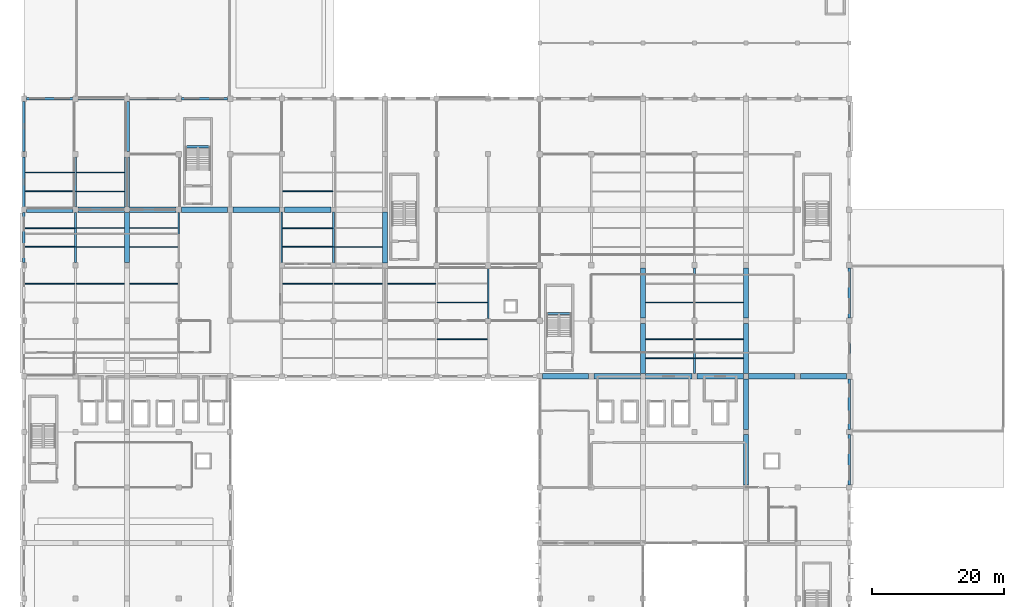
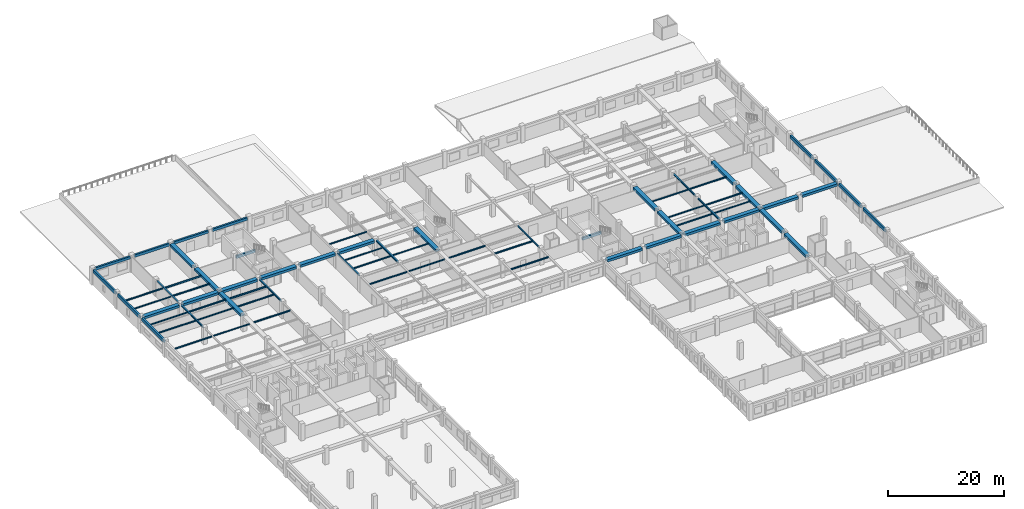
# One storey, part 24 of 50: 71 beams.
"""IFC4 building model written with IfcOpenShell, lengths in metres."""

from ifc_helpers import new_model, si_unit, direction, frame, origin, origin_2d, place, context, subcontext, project, spatial, rectangle, i_section, extrude, material, material_profile, profile_set, type_object, element, save


model = new_model("IFC4")

# Units and contexts
model_context = context("Model", 3, precision=1e-05, world=origin(), true_north=direction((0.0, 1.0)))
body_context = subcontext(model_context, "Body", "Model", "MODEL_VIEW")
ifc_project = project(units=[si_unit("LENGTHUNIT", "METRE"), si_unit("AREAUNIT", "SQUARE_METRE"), si_unit("VOLUMEUNIT", "CUBIC_METRE"), si_unit("PLANEANGLEUNIT", "RADIAN"), si_unit("MASSUNIT", "GRAM", prefix="KILO"), si_unit("THERMODYNAMICTEMPERATUREUNIT", "KELVIN"), si_unit("POWERUNIT", "WATT")], contexts=[model_context])

# Site, building, storey
site_placement = place(None, origin())
site = spatial("IfcSite", under=ifc_project, at=site_placement, CompositionType="ELEMENT")
building_placement = place(site_placement, origin())
building = spatial("IfcBuilding", under=site, at=building_placement, Name="Srebrne Nadtorze General Hospital", CompositionType="ELEMENT")
storey_placement = place(building_placement, frame((0.0, 0.0, 14.39990234375)))
storey = spatial("IfcBuildingStorey", under=building, at=storey_placement, Name="L03", CompositionType="ELEMENT", Elevation=14.39990234375)

# Beams
ifc_material_1 = material(Name="Steel S355J2", Category="steel")
ifc_material_profile_1 = material_profile(ifc_material_1, i_section(OverallWidth=0.169921875, OverallDepth=0.360107421875, WebThickness=0.008056640625, FlangeThickness=0.0126953125, FilletRadius=0.01806640625, at=origin_2d()), Name="IPE-360")
ifc_profile_set_1 = profile_set([ifc_material_profile_1], Name="Steel S355J2")
beam_type_1 = type_object("IfcBeamType", Name="Deck joist IPE 360", PredefinedType="JOIST", material=ifc_profile_set_1)
beam_1_placement = place(storey_placement, frame((31.324951171875, 81.22802734375, 3.090087890625), z_axis=(1.0, 0.0, 0.0), x_axis=(0.0, 1.0, 0.0)))
element("IfcBeam", 1, at=beam_1_placement, inside=storey, type_object=beam_type_1, Name="Interstitial deck joist SJ-L03-0043", PredefinedType="JOIST", context=body_context, shape_type="SweptSolid", body=[
    extrude(i_section(OverallWidth=0.169921875, OverallDepth=0.360107421875, WebThickness=0.008056640625, FlangeThickness=0.0126953125, FilletRadius=0.01806640625, at=origin_2d()), origin(), (0.0, 0.0, 1.0), 7.280029296875),
])
beam_2_placement = place(storey_placement, frame((39.39501953125, 72.827880859375, 3.090087890625), z_axis=(1.0, 0.0, 0.0), x_axis=(0.0, 1.0, 0.0)))
element("IfcBeam", 2, at=beam_2_placement, inside=storey, type_object=beam_type_1, Name="Interstitial deck joist SJ-L03-0049", PredefinedType="JOIST", context=body_context, shape_type="SweptSolid", body=[
    extrude(i_section(OverallWidth=0.169921875, OverallDepth=0.360107421875, WebThickness=0.008056640625, FlangeThickness=0.0126953125, FilletRadius=0.01806640625, at=origin_2d()), origin(), (0.0, 0.0, 1.0), 7.2900390625),
])
ifc_material_2 = material(Name="Concrete C35/45", Category="concrete")
ifc_material_profile_2 = material_profile(ifc_material_2, rectangle(XDim=0.35009765625, YDim=0.64990234375, at=origin_2d()), Name="RC-BM-350x650")
ifc_profile_set_2 = profile_set([ifc_material_profile_2], Name="Concrete C35/45")
beam_type_2 = type_object("IfcBeamType", Name="Edge beam RC 350x650", PredefinedType="BEAM", material=ifc_profile_set_2)
beam_3_placement = place(storey_placement, frame((23.39990234375, 67.60009765625, 2.945068359375), z_axis=(0.0, 1.0, 0.0), x_axis=(-1.0, 0.0, 0.0)))
element("IfcBeam", 3, at=beam_3_placement, inside=storey, type_object=beam_type_2, Name="Beam BM-L03-Y-0795", PredefinedType="BEAM", context=body_context, shape_type="SweptSolid", body=[
    extrude(rectangle(XDim=0.35009765625, YDim=0.64990234375, at=origin_2d()), origin(), (0.0, 0.0, 1.0), 7.599853515625),
])
for number, where, z_axis, x_axis, name in (
    (4, (23.39990234375, 76.0, 2.945068359375), (0.0, 1.0, 0.0), (-1.0, 0.0, 0.0), "Beam BM-L03-Y-0796"),
    (5, (23.39990234375, 84.39990234375, 2.945068359375), (0.0, 1.0, 0.0), (-1.0, 0.0, 0.0), "Beam BM-L03-Y-0797"),
    (6, (148.199951171875, 34.0, 2.945068359375), (0.0, 1.0, 0.0), (-1.0, 0.0, 0.0), "Beam BM-L03-Y-0852"),
    (7, (148.199951171875, 42.39990234375, 2.945068359375), (0.0, 1.0, 0.0), (-1.0, 0.0, 0.0), "Beam BM-L03-Y-0853"),
):
    element("IfcBeam", number, at=place(storey_placement, frame(where, z_axis=z_axis, x_axis=x_axis)), inside=storey, type_object=beam_type_2, Name=name, PredefinedType="BEAM", context=body_context, shape_type="SweptSolid", body=[
        extrude(rectangle(XDim=0.35009765625, YDim=0.64990234375, at=origin_2d()), origin(), (0.0, 0.0, 1.0), 7.60009765625),
    ])
beam_4_placement = place(storey_placement, frame((148.199951171875, 50.800048828125, 2.945068359375), z_axis=(0.0, 1.0, 0.0), x_axis=(-1.0, 0.0, 0.0)))
element("IfcBeam", 8, at=beam_4_placement, inside=storey, type_object=beam_type_2, Name="Beam BM-L03-Y-0854", PredefinedType="BEAM", context=body_context, shape_type="SweptSolid", body=[
    extrude(rectangle(XDim=0.35009765625, YDim=0.64990234375, at=origin_2d()), origin(), (0.0, 0.0, 1.0), 7.599853515625),
])
beam_5_placement = place(storey_placement, frame((148.199951171875, 59.199951171875, 2.945068359375), z_axis=(0.0, 1.0, 0.0), x_axis=(-1.0, 0.0, 0.0)))
element("IfcBeam", 9, at=beam_5_placement, inside=storey, type_object=beam_type_2, Name="Beam BM-L03-Y-0855", PredefinedType="BEAM", context=body_context, shape_type="SweptSolid", body=[
    extrude(rectangle(XDim=0.35009765625, YDim=0.64990234375, at=origin_2d()), origin(), (0.0, 0.0, 1.0), 7.60009765625),
])
ifc_material_3 = material(Name="Steel S355J2", Category="steel")
ifc_material_profile_3 = material_profile(ifc_material_3, i_section(OverallWidth=0.239990234375, OverallDepth=0.22998046875, WebThickness=0.007568359375, FlangeThickness=0.011962890625, FilletRadius=0.02099609375, at=origin_2d()), Name="HEA-240")
ifc_profile_set_3 = profile_set([ifc_material_profile_3], Name="Steel S355J2")
beam_type_3 = type_object("IfcBeamType", Name="Primary beam HEA 240", PredefinedType="BEAM", material=ifc_profile_set_3)
beam_6_placement = place(storey_placement, frame((46.800048828125, 67.60009765625, 3.155029296875), z_axis=(0.0, 1.0, 0.0), x_axis=(-1.0, 0.0, 0.0)))
element("IfcBeam", 10, at=beam_6_placement, inside=storey, type_object=beam_type_3, Name="Interstitial steel beam SB-L03-0007", PredefinedType="BEAM", context=body_context, shape_type="SweptSolid", body=[
    extrude(i_section(OverallWidth=0.239990234375, OverallDepth=0.22998046875, WebThickness=0.007568359375, FlangeThickness=0.011962890625, FilletRadius=0.02099609375, at=origin_2d()), origin(), (0.0, 0.0, 1.0), 7.599853515625),
])
beam_7_placement = place(storey_placement, frame((93.60009765625, 59.175048828125, 3.155029296875), z_axis=(0.0, 1.0, 0.0), x_axis=(-1.0, 0.0, 0.0)))
element("IfcBeam", 11, at=beam_7_placement, inside=storey, type_object=beam_type_3, Name="Interstitial steel beam SB-L03-0019", PredefinedType="BEAM", context=body_context, shape_type="SweptSolid", body=[
    extrude(i_section(OverallWidth=0.239990234375, OverallDepth=0.22998046875, WebThickness=0.007568359375, FlangeThickness=0.011962890625, FilletRadius=0.02099609375, at=origin_2d()), origin(), (0.0, 0.0, 1.0), 7.64990234375),
])
ifc_material_4 = material(Name="Steel S355J2", Category="steel")
ifc_material_profile_4 = material_profile(ifc_material_4, i_section(OverallWidth=0.260009765625, OverallDepth=0.25, WebThickness=0.007568359375, FlangeThickness=0.012451171875, FilletRadius=0.02392578125, at=origin_2d()), Name="HEA-260")
ifc_profile_set_4 = profile_set([ifc_material_profile_4], Name="Steel S355J2")
beam_type_4 = type_object("IfcBeamType", Name="Primary beam HEA 260", PredefinedType="BEAM", material=ifc_profile_set_4)
for number, where, z_axis, x_axis, name in (
    (12, (31.199951171875, 76.0, 3.14501953125), (0.0, 1.0, 0.0), (-1.0, 0.0, 0.0), "Interstitial steel beam SB-L03-0004"),
    (13, (124.800048828125, 59.199951171875, 3.14501953125), (0.0, 1.0, 0.0), (-1.0, 0.0, 0.0), "Interstitial steel beam SB-L03-0025"),
):
    element("IfcBeam", number, at=place(storey_placement, frame(where, z_axis=z_axis, x_axis=x_axis)), inside=storey, type_object=beam_type_4, Name=name, PredefinedType="BEAM", context=body_context, shape_type="SweptSolid", body=[
        extrude(i_section(OverallWidth=0.260009765625, OverallDepth=0.25, WebThickness=0.007568359375, FlangeThickness=0.012451171875, FilletRadius=0.02392578125, at=origin_2d()), origin(), (0.0, 0.0, 1.0), 7.60009765625),
    ])
ifc_material_5 = material(Name="Steel S355J2", Category="steel")
ifc_material_profile_5 = material_profile(ifc_material_5, i_section(OverallWidth=0.280029296875, OverallDepth=0.27001953125, WebThickness=0.008056640625, FlangeThickness=0.012939453125, FilletRadius=0.02392578125, at=origin_2d()), Name="HEA-280")
ifc_profile_set_5 = profile_set([ifc_material_profile_5], Name="Steel S355J2")
beam_type_5 = type_object("IfcBeamType", Name="Primary beam HEA 280", PredefinedType="BEAM", material=ifc_profile_set_5)
beam_8_placement = place(storey_placement, frame((31.199951171875, 67.60009765625, 3.135009765625), z_axis=(0.0, 1.0, 0.0), x_axis=(-1.0, 0.0, 0.0)))
element("IfcBeam", 14, at=beam_8_placement, inside=storey, type_object=beam_type_5, Name="Interstitial steel beam SB-L03-0003", PredefinedType="BEAM", context=body_context, shape_type="SweptSolid", body=[
    extrude(i_section(OverallWidth=0.280029296875, OverallDepth=0.27001953125, WebThickness=0.008056640625, FlangeThickness=0.012939453125, FilletRadius=0.02392578125, at=origin_2d()), origin(), (0.0, 0.0, 1.0), 7.599853515625),
])
beam_9_placement = place(storey_placement, frame((70.199951171875, 67.574951171875, 3.135009765625), z_axis=(0.0, 1.0, 0.0), x_axis=(-1.0, 0.0, 0.0)))
element("IfcBeam", 15, at=beam_9_placement, inside=storey, type_object=beam_type_5, Name="Interstitial steel beam SB-L03-0014", PredefinedType="BEAM", context=body_context, shape_type="SweptSolid", body=[
    extrude(i_section(OverallWidth=0.280029296875, OverallDepth=0.27001953125, WebThickness=0.008056640625, FlangeThickness=0.012939453125, FilletRadius=0.02392578125, at=origin_2d()), origin(), (0.0, 0.0, 1.0), 7.650146484375),
])
beam_10_placement = place(storey_placement, frame((124.800048828125, 50.800048828125, 3.135009765625), z_axis=(0.0, 1.0, 0.0), x_axis=(-1.0, 0.0, 0.0)))
element("IfcBeam", 16, at=beam_10_placement, inside=storey, type_object=beam_type_5, Name="Interstitial steel beam SB-L03-0024", PredefinedType="BEAM", context=body_context, shape_type="SweptSolid", body=[
    extrude(i_section(OverallWidth=0.280029296875, OverallDepth=0.27001953125, WebThickness=0.008056640625, FlangeThickness=0.012939453125, FilletRadius=0.02392578125, at=origin_2d()), origin(), (0.0, 0.0, 1.0), 7.599853515625),
])
ifc_material_6 = material(Name="Steel S355J2", Category="steel")
ifc_material_profile_6 = material_profile(ifc_material_6, i_section(OverallWidth=0.239990234375, OverallDepth=0.239990234375, WebThickness=0.010009765625, FlangeThickness=0.01708984375, FilletRadius=0.02099609375, at=origin_2d()), Name="HEB-240")
ifc_profile_set_6 = profile_set([ifc_material_profile_6], Name="Steel S355J2")
beam_type_6 = type_object("IfcBeamType", Name="Primary beam HEB 240", PredefinedType="BEAM", material=ifc_profile_set_6)
beam_11_placement = place(storey_placement, frame((62.39990234375, 67.574951171875, 3.150146484375), z_axis=(0.0, 1.0, 0.0), x_axis=(-1.0, 0.0, 0.0)))
element("IfcBeam", 17, at=beam_11_placement, inside=storey, type_object=beam_type_6, Name="Interstitial steel beam SB-L03-0010", PredefinedType="BEAM", context=body_context, shape_type="SweptSolid", body=[
    extrude(i_section(OverallWidth=0.239990234375, OverallDepth=0.239990234375, WebThickness=0.010009765625, FlangeThickness=0.01708984375, FilletRadius=0.02099609375, at=origin_2d()), origin(), (0.0, 0.0, 1.0), 7.650146484375),
])
ifc_material_7 = material(Name="Concrete C40/50", Category="concrete")
ifc_material_profile_7 = material_profile(ifc_material_7, rectangle(XDim=0.800048828125, YDim=0.5, at=origin_2d()), Name="RC-BM-800x500")
ifc_profile_set_7 = profile_set([ifc_material_profile_7], Name="Concrete C40/50")
beam_type_7 = type_object("IfcBeamType", Name="Primary beam RC 800x500", PredefinedType="BEAM", material=ifc_profile_set_7)
for number, where, z_axis, x_axis, name in (
    (18, (101.800048828125, 50.39990234375, 3.02001953125), (1.0, 0.0, 0.0), (0.0, 1.0, 0.0), "Beam BM-L03-X-0751"),
    (19, (109.60009765625, 50.39990234375, 3.02001953125), (1.0, 0.0, 0.0), (0.0, 1.0, 0.0), "Beam BM-L03-X-0752"),
    (20, (117.39990234375, 50.39990234375, 3.02001953125), (1.0, 0.0, 0.0), (0.0, 1.0, 0.0), "Beam BM-L03-X-0753"),
    (21, (125.199951171875, 50.39990234375, 3.02001953125), (1.0, 0.0, 0.0), (0.0, 1.0, 0.0), "Beam BM-L03-X-0754"),
    (22, (133.0, 50.39990234375, 3.02001953125), (1.0, 0.0, 0.0), (0.0, 1.0, 0.0), "Beam BM-L03-X-0755"),
    (23, (140.800048828125, 50.39990234375, 3.02001953125), (1.0, 0.0, 0.0), (0.0, 1.0, 0.0), "Beam BM-L03-X-0756"),
    (24, (23.800048828125, 75.60009765625, 3.02001953125), (1.0, 0.0, 0.0), (0.0, 1.0, 0.0), "Beam BM-L03-X-0757"),
    (25, (31.60009765625, 75.60009765625, 3.02001953125), (1.0, 0.0, 0.0), (0.0, 1.0, 0.0), "Beam BM-L03-X-0758"),
    (26, (39.39990234375, 75.60009765625, 3.02001953125), (1.0, 0.0, 0.0), (0.0, 1.0, 0.0), "Beam BM-L03-X-0759"),
    (27, (47.199951171875, 75.60009765625, 3.02001953125), (1.0, 0.0, 0.0), (0.0, 1.0, 0.0), "Beam BM-L03-X-0760"),
):
    element("IfcBeam", number, at=place(storey_placement, frame(where, z_axis=z_axis, x_axis=x_axis)), inside=storey, type_object=beam_type_7, Name=name, PredefinedType="BEAM", context=body_context, shape_type="SweptSolid", body=[
        extrude(rectangle(XDim=0.800048828125, YDim=0.5, at=origin_2d()), origin(), (0.0, 0.0, 1.0), 7.0),
    ])
beam_12_placement = place(storey_placement, frame((55.0, 75.60009765625, 3.02001953125), z_axis=(1.0, 0.0, 0.0), x_axis=(0.0, 1.0, 0.0)))
element("IfcBeam", 28, at=beam_12_placement, inside=storey, type_object=beam_type_7, Name="Beam BM-L03-X-0761", PredefinedType="BEAM", context=body_context, shape_type="SweptSolid", body=[
    extrude(rectangle(XDim=0.800048828125, YDim=0.5, at=origin_2d()), origin(), (0.0, 0.0, 1.0), 7.02490234375),
])
beam_13_placement = place(storey_placement, frame((62.77490234375, 75.60009765625, 3.02001953125), z_axis=(1.0, 0.0, 0.0), x_axis=(0.0, 1.0, 0.0)))
element("IfcBeam", 29, at=beam_13_placement, inside=storey, type_object=beam_type_7, Name="Beam BM-L03-X-0762", PredefinedType="BEAM", context=body_context, shape_type="SweptSolid", body=[
    extrude(rectangle(XDim=0.800048828125, YDim=0.5, at=origin_2d()), origin(), (0.0, 0.0, 1.0), 7.050048828125),
])
beam_14_placement = place(storey_placement, frame((39.0, 67.60009765625, 3.02001953125), z_axis=(0.0, 1.0, 0.0), x_axis=(-1.0, 0.0, 0.0)))
element("IfcBeam", 30, at=beam_14_placement, inside=storey, type_object=beam_type_7, Name="Beam BM-L03-Y-0806", PredefinedType="BEAM", context=body_context, shape_type="SweptSolid", body=[
    extrude(rectangle(XDim=0.800048828125, YDim=0.5, at=origin_2d()), origin(), (0.0, 0.0, 1.0), 7.599853515625),
])
for number, where, z_axis, x_axis, name in (
    (31, (39.0, 76.0, 3.02001953125), (0.0, 1.0, 0.0), (-1.0, 0.0, 0.0), "Beam BM-L03-Y-0807"),
    (32, (39.0, 84.39990234375, 3.02001953125), (0.0, 1.0, 0.0), (-1.0, 0.0, 0.0), "Beam BM-L03-Y-0808"),
):
    element("IfcBeam", number, at=place(storey_placement, frame(where, z_axis=z_axis, x_axis=x_axis)), inside=storey, type_object=beam_type_7, Name=name, PredefinedType="BEAM", context=body_context, shape_type="SweptSolid", body=[
        extrude(rectangle(XDim=0.800048828125, YDim=0.5, at=origin_2d()), origin(), (0.0, 0.0, 1.0), 7.60009765625),
    ])
beam_15_placement = place(storey_placement, frame((78.0, 67.574951171875, 3.02001953125), z_axis=(0.0, 1.0, 0.0), x_axis=(-1.0, 0.0, 0.0)))
element("IfcBeam", 33, at=beam_15_placement, inside=storey, type_object=beam_type_7, Name="Beam BM-L03-Y-0817", PredefinedType="BEAM", context=body_context, shape_type="SweptSolid", body=[
    extrude(rectangle(XDim=0.800048828125, YDim=0.5, at=origin_2d()), origin(), (0.0, 0.0, 1.0), 7.650146484375),
])
beam_16_placement = place(storey_placement, frame((117.0, 50.800048828125, 3.02001953125), z_axis=(0.0, 1.0, 0.0), x_axis=(-1.0, 0.0, 0.0)))
element("IfcBeam", 34, at=beam_16_placement, inside=storey, type_object=beam_type_7, Name="Beam BM-L03-Y-0832", PredefinedType="BEAM", context=body_context, shape_type="SweptSolid", body=[
    extrude(rectangle(XDim=0.800048828125, YDim=0.5, at=origin_2d()), origin(), (0.0, 0.0, 1.0), 7.599853515625),
])
for number, where, z_axis, x_axis, name in (
    (35, (117.0, 59.199951171875, 3.02001953125), (0.0, 1.0, 0.0), (-1.0, 0.0, 0.0), "Beam BM-L03-Y-0833"),
    (36, (132.60009765625, 34.0, 3.02001953125), (0.0, 1.0, 0.0), (-1.0, 0.0, 0.0), "Beam BM-L03-Y-0841"),
    (37, (132.60009765625, 42.39990234375, 3.02001953125), (0.0, 1.0, 0.0), (-1.0, 0.0, 0.0), "Beam BM-L03-Y-0842"),
):
    element("IfcBeam", number, at=place(storey_placement, frame(where, z_axis=z_axis, x_axis=x_axis)), inside=storey, type_object=beam_type_7, Name=name, PredefinedType="BEAM", context=body_context, shape_type="SweptSolid", body=[
        extrude(rectangle(XDim=0.800048828125, YDim=0.5, at=origin_2d()), origin(), (0.0, 0.0, 1.0), 7.60009765625),
    ])
beam_17_placement = place(storey_placement, frame((132.60009765625, 50.800048828125, 3.02001953125), z_axis=(0.0, 1.0, 0.0), x_axis=(-1.0, 0.0, 0.0)))
element("IfcBeam", 38, at=beam_17_placement, inside=storey, type_object=beam_type_7, Name="Beam BM-L03-Y-0843", PredefinedType="BEAM", context=body_context, shape_type="SweptSolid", body=[
    extrude(rectangle(XDim=0.800048828125, YDim=0.5, at=origin_2d()), origin(), (0.0, 0.0, 1.0), 7.599853515625),
])
beam_18_placement = place(storey_placement, frame((132.60009765625, 59.199951171875, 3.02001953125), z_axis=(0.0, 1.0, 0.0), x_axis=(-1.0, 0.0, 0.0)))
element("IfcBeam", 39, at=beam_18_placement, inside=storey, type_object=beam_type_7, Name="Beam BM-L03-Y-0844", PredefinedType="BEAM", context=body_context, shape_type="SweptSolid", body=[
    extrude(rectangle(XDim=0.800048828125, YDim=0.5, at=origin_2d()), origin(), (0.0, 0.0, 1.0), 7.60009765625),
])
ifc_material_8 = material(Name="Steel S355J2", Category="steel")
ifc_material_profile_8 = material_profile(ifc_material_8, i_section(OverallWidth=0.1201171875, OverallDepth=0.239990234375, WebThickness=0.006103515625, FlangeThickness=0.009765625, FilletRadius=0.014892578125, at=origin_2d()), Name="IPE-240")
ifc_profile_set_8 = profile_set([ifc_material_profile_8], Name="Steel S355J2")
beam_type_8 = type_object("IfcBeamType", Name="Secondary joist IPE 240", PredefinedType="JOIST", material=ifc_profile_set_8)
beam_19_placement = place(storey_placement, frame((23.570068359375, 81.22802734375, 3.150146484375), z_axis=(1.0, 0.0, 0.0), x_axis=(0.0, 1.0, 0.0)))
element("IfcBeam", 40, at=beam_19_placement, inside=storey, type_object=beam_type_8, Name="Interstitial deck joist SJ-L03-0035", PredefinedType="JOIST", context=body_context, shape_type="SweptSolid", body=[
    extrude(i_section(OverallWidth=0.1201171875, OverallDepth=0.239990234375, WebThickness=0.006103515625, FlangeThickness=0.009765625, FilletRadius=0.014892578125, at=origin_2d()), origin(), (0.0, 0.0, 1.0), 7.5048828125),
])
beam_20_placement = place(storey_placement, frame((31.3349609375, 72.827880859375, 3.150146484375), z_axis=(1.0, 0.0, 0.0), x_axis=(0.0, 1.0, 0.0)))
element("IfcBeam", 41, at=beam_20_placement, inside=storey, type_object=beam_type_8, Name="Interstitial deck joist SJ-L03-0041", PredefinedType="JOIST", context=body_context, shape_type="SweptSolid", body=[
    extrude(i_section(OverallWidth=0.1201171875, OverallDepth=0.239990234375, WebThickness=0.006103515625, FlangeThickness=0.009765625, FilletRadius=0.014892578125, at=origin_2d()), origin(), (0.0, 0.0, 1.0), 7.27001953125),
])
for number, where, z_axis, x_axis, name in (
    (42, (31.324951171875, 78.3720703125, 3.150146484375), (1.0, 0.0, 0.0), (0.0, 1.0, 0.0), "Interstitial deck joist SJ-L03-0042"),
    (43, (39.39501953125, 64.427978515625, 3.150146484375), (1.0, 0.0, 0.0), (0.0, 1.0, 0.0), "Interstitial deck joist SJ-L03-0047"),
):
    element("IfcBeam", number, at=place(storey_placement, frame(where, z_axis=z_axis, x_axis=x_axis)), inside=storey, type_object=beam_type_8, Name=name, PredefinedType="JOIST", context=body_context, shape_type="SweptSolid", body=[
        extrude(i_section(OverallWidth=0.1201171875, OverallDepth=0.239990234375, WebThickness=0.006103515625, FlangeThickness=0.009765625, FilletRadius=0.014892578125, at=origin_2d()), origin(), (0.0, 0.0, 1.0), 7.280029296875),
    ])
beam_21_placement = place(storey_placement, frame((39.39501953125, 69.971923828125, 3.150146484375), z_axis=(1.0, 0.0, 0.0), x_axis=(0.0, 1.0, 0.0)))
element("IfcBeam", 44, at=beam_21_placement, inside=storey, type_object=beam_type_8, Name="Interstitial deck joist SJ-L03-0048", PredefinedType="JOIST", context=body_context, shape_type="SweptSolid", body=[
    extrude(i_section(OverallWidth=0.1201171875, OverallDepth=0.239990234375, WebThickness=0.006103515625, FlangeThickness=0.009765625, FilletRadius=0.014892578125, at=origin_2d()), origin(), (0.0, 0.0, 1.0), 7.2900390625),
])
beam_22_placement = place(storey_placement, frame((78.39501953125, 64.427978515625, 3.150146484375), z_axis=(1.0, 0.0, 0.0), x_axis=(0.0, 1.0, 0.0)))
element("IfcBeam", 45, at=beam_22_placement, inside=storey, type_object=beam_type_8, Name="Interstitial deck joist SJ-L03-0069", PredefinedType="JOIST", context=body_context, shape_type="SweptSolid", body=[
    extrude(i_section(OverallWidth=0.1201171875, OverallDepth=0.239990234375, WebThickness=0.006103515625, FlangeThickness=0.009765625, FilletRadius=0.014892578125, at=origin_2d()), origin(), (0.0, 0.0, 1.0), 7.280029296875),
])
beam_23_placement = place(storey_placement, frame((85.93505859375, 56.028076171875, 3.150146484375), z_axis=(1.0, 0.0, 0.0), x_axis=(0.0, 1.0, 0.0)))
element("IfcBeam", 46, at=beam_23_placement, inside=storey, type_object=beam_type_8, Name="Interstitial deck joist SJ-L03-0071", PredefinedType="JOIST", context=body_context, shape_type="SweptSolid", body=[
    extrude(i_section(OverallWidth=0.1201171875, OverallDepth=0.239990234375, WebThickness=0.006103515625, FlangeThickness=0.009765625, FilletRadius=0.014892578125, at=origin_2d()), origin(), (0.0, 0.0, 1.0), 7.5400390625),
])
beam_24_placement = place(storey_placement, frame((85.925048828125, 61.572021484375, 3.150146484375), z_axis=(1.0, 0.0, 0.0), x_axis=(0.0, 1.0, 0.0)))
element("IfcBeam", 47, at=beam_24_placement, inside=storey, type_object=beam_type_8, Name="Interstitial deck joist SJ-L03-0072", PredefinedType="JOIST", context=body_context, shape_type="SweptSolid", body=[
    extrude(i_section(OverallWidth=0.1201171875, OverallDepth=0.239990234375, WebThickness=0.006103515625, FlangeThickness=0.009765625, FilletRadius=0.014892578125, at=origin_2d()), origin(), (0.0, 0.0, 1.0), 7.56005859375),
])
beam_25_placement = place(storey_placement, frame((124.93505859375, 56.028076171875, 3.150146484375), z_axis=(1.0, 0.0, 0.0), x_axis=(0.0, 1.0, 0.0)))
element("IfcBeam", 48, at=beam_25_placement, inside=storey, type_object=beam_type_8, Name="Interstitial deck joist SJ-L03-0087", PredefinedType="JOIST", context=body_context, shape_type="SweptSolid", body=[
    extrude(i_section(OverallWidth=0.1201171875, OverallDepth=0.239990234375, WebThickness=0.006103515625, FlangeThickness=0.009765625, FilletRadius=0.014892578125, at=origin_2d()), origin(), (0.0, 0.0, 1.0), 7.27001953125),
])
beam_26_placement = place(storey_placement, frame((124.925048828125, 61.572021484375, 3.150146484375), z_axis=(1.0, 0.0, 0.0), x_axis=(0.0, 1.0, 0.0)))
element("IfcBeam", 49, at=beam_26_placement, inside=storey, type_object=beam_type_8, Name="Interstitial deck joist SJ-L03-0088", PredefinedType="JOIST", context=body_context, shape_type="SweptSolid", body=[
    extrude(i_section(OverallWidth=0.1201171875, OverallDepth=0.239990234375, WebThickness=0.006103515625, FlangeThickness=0.009765625, FilletRadius=0.014892578125, at=origin_2d()), origin(), (0.0, 0.0, 1.0), 7.280029296875),
])
ifc_material_9 = material(Name="Steel S355J2", Category="steel")
ifc_material_profile_9 = material_profile(ifc_material_9, i_section(OverallWidth=0.135009765625, OverallDepth=0.27001953125, WebThickness=0.006591796875, FlangeThickness=0.01025390625, FilletRadius=0.014892578125, at=origin_2d()), Name="IPE-270")
ifc_profile_set_9 = profile_set([ifc_material_profile_9], Name="Steel S355J2")
beam_type_9 = type_object("IfcBeamType", Name="Secondary joist IPE 270", PredefinedType="JOIST", material=ifc_profile_set_9)
beam_27_placement = place(storey_placement, frame((23.570068359375, 72.827880859375, 3.135009765625), z_axis=(1.0, 0.0, 0.0), x_axis=(0.0, 1.0, 0.0)))
element("IfcBeam", 50, at=beam_27_placement, inside=storey, type_object=beam_type_9, Name="Interstitial deck joist SJ-L03-0033", PredefinedType="JOIST", context=body_context, shape_type="SweptSolid", body=[
    extrude(i_section(OverallWidth=0.135009765625, OverallDepth=0.27001953125, WebThickness=0.006591796875, FlangeThickness=0.01025390625, FilletRadius=0.014892578125, at=origin_2d()), origin(), (0.0, 0.0, 1.0), 7.494873046875),
])
beam_28_placement = place(storey_placement, frame((23.570068359375, 78.3720703125, 3.135009765625), z_axis=(1.0, 0.0, 0.0), x_axis=(0.0, 1.0, 0.0)))
element("IfcBeam", 51, at=beam_28_placement, inside=storey, type_object=beam_type_9, Name="Interstitial deck joist SJ-L03-0034", PredefinedType="JOIST", context=body_context, shape_type="SweptSolid", body=[
    extrude(i_section(OverallWidth=0.135009765625, OverallDepth=0.27001953125, WebThickness=0.006591796875, FlangeThickness=0.01025390625, FilletRadius=0.014892578125, at=origin_2d()), origin(), (0.0, 0.0, 1.0), 7.5048828125),
])
beam_29_placement = place(storey_placement, frame((31.31494140625, 64.427978515625, 3.135009765625), z_axis=(1.0, 0.0, 0.0), x_axis=(0.0, 1.0, 0.0)))
element("IfcBeam", 52, at=beam_29_placement, inside=storey, type_object=beam_type_9, Name="Interstitial deck joist SJ-L03-0039", PredefinedType="JOIST", context=body_context, shape_type="SweptSolid", body=[
    extrude(i_section(OverallWidth=0.135009765625, OverallDepth=0.27001953125, WebThickness=0.006591796875, FlangeThickness=0.01025390625, FilletRadius=0.014892578125, at=origin_2d()), origin(), (0.0, 0.0, 1.0), 7.2900390625),
])
beam_30_placement = place(storey_placement, frame((31.3349609375, 69.971923828125, 3.135009765625), z_axis=(1.0, 0.0, 0.0), x_axis=(0.0, 1.0, 0.0)))
element("IfcBeam", 53, at=beam_30_placement, inside=storey, type_object=beam_type_9, Name="Interstitial deck joist SJ-L03-0040", PredefinedType="JOIST", context=body_context, shape_type="SweptSolid", body=[
    extrude(i_section(OverallWidth=0.135009765625, OverallDepth=0.27001953125, WebThickness=0.006591796875, FlangeThickness=0.01025390625, FilletRadius=0.014892578125, at=origin_2d()), origin(), (0.0, 0.0, 1.0), 7.27001953125),
])
beam_31_placement = place(storey_placement, frame((62.514892578125, 72.827880859375, 3.135009765625), z_axis=(1.0, 0.0, 0.0), x_axis=(0.0, 1.0, 0.0)))
element("IfcBeam", 54, at=beam_31_placement, inside=storey, type_object=beam_type_9, Name="Interstitial deck joist SJ-L03-0055", PredefinedType="JOIST", context=body_context, shape_type="SweptSolid", body=[
    extrude(i_section(OverallWidth=0.135009765625, OverallDepth=0.27001953125, WebThickness=0.006591796875, FlangeThickness=0.01025390625, FilletRadius=0.014892578125, at=origin_2d()), origin(), (0.0, 0.0, 1.0), 7.550048828125),
])
beam_32_placement = place(storey_placement, frame((62.534912109375, 78.3720703125, 3.135009765625), z_axis=(1.0, 0.0, 0.0), x_axis=(0.0, 1.0, 0.0)))
element("IfcBeam", 55, at=beam_32_placement, inside=storey, type_object=beam_type_9, Name="Interstitial deck joist SJ-L03-0056", PredefinedType="JOIST", context=body_context, shape_type="SweptSolid", body=[
    extrude(i_section(OverallWidth=0.135009765625, OverallDepth=0.27001953125, WebThickness=0.006591796875, FlangeThickness=0.01025390625, FilletRadius=0.014892578125, at=origin_2d()), origin(), (0.0, 0.0, 1.0), 7.5400390625),
])
beam_33_placement = place(storey_placement, frame((70.31494140625, 64.427978515625, 3.135009765625), z_axis=(1.0, 0.0, 0.0), x_axis=(0.0, 1.0, 0.0)))
element("IfcBeam", 56, at=beam_33_placement, inside=storey, type_object=beam_type_9, Name="Interstitial deck joist SJ-L03-0061", PredefinedType="JOIST", context=body_context, shape_type="SweptSolid", body=[
    extrude(i_section(OverallWidth=0.135009765625, OverallDepth=0.27001953125, WebThickness=0.006591796875, FlangeThickness=0.01025390625, FilletRadius=0.014892578125, at=origin_2d()), origin(), (0.0, 0.0, 1.0), 7.2900390625),
])
for number, where, z_axis, x_axis, name in (
    (57, (70.3349609375, 69.971923828125, 3.135009765625), (1.0, 0.0, 0.0), (0.0, 1.0, 0.0), "Interstitial deck joist SJ-L03-0062"),
    (58, (117.39501953125, 56.028076171875, 3.135009765625), (1.0, 0.0, 0.0), (0.0, 1.0, 0.0), "Interstitial deck joist SJ-L03-0079"),
):
    element("IfcBeam", number, at=place(storey_placement, frame(where, z_axis=z_axis, x_axis=x_axis)), inside=storey, type_object=beam_type_9, Name=name, PredefinedType="JOIST", context=body_context, shape_type="SweptSolid", body=[
        extrude(i_section(OverallWidth=0.135009765625, OverallDepth=0.27001953125, WebThickness=0.006591796875, FlangeThickness=0.01025390625, FilletRadius=0.014892578125, at=origin_2d()), origin(), (0.0, 0.0, 1.0), 7.27001953125),
    ])
beam_34_placement = place(storey_placement, frame((117.39501953125, 61.572021484375, 3.135009765625), z_axis=(1.0, 0.0, 0.0), x_axis=(0.0, 1.0, 0.0)))
element("IfcBeam", 59, at=beam_34_placement, inside=storey, type_object=beam_type_9, Name="Interstitial deck joist SJ-L03-0080", PredefinedType="JOIST", context=body_context, shape_type="SweptSolid", body=[
    extrude(i_section(OverallWidth=0.135009765625, OverallDepth=0.27001953125, WebThickness=0.006591796875, FlangeThickness=0.01025390625, FilletRadius=0.014892578125, at=origin_2d()), origin(), (0.0, 0.0, 1.0), 7.280029296875),
])
beam_35_placement = place(storey_placement, frame((124.93505859375, 53.172119140625, 3.135009765625), z_axis=(1.0, 0.0, 0.0), x_axis=(0.0, 1.0, 0.0)))
element("IfcBeam", 60, at=beam_35_placement, inside=storey, type_object=beam_type_9, Name="Interstitial deck joist SJ-L03-0086", PredefinedType="JOIST", context=body_context, shape_type="SweptSolid", body=[
    extrude(i_section(OverallWidth=0.135009765625, OverallDepth=0.27001953125, WebThickness=0.006591796875, FlangeThickness=0.01025390625, FilletRadius=0.014892578125, at=origin_2d()), origin(), (0.0, 0.0, 1.0), 7.27001953125),
])
ifc_material_10 = material(Name="Steel S355J2", Category="steel")
ifc_material_profile_10 = material_profile(ifc_material_10, i_section(OverallWidth=0.14990234375, OverallDepth=0.300048828125, WebThickness=0.007080078125, FlangeThickness=0.0107421875, FilletRadius=0.014892578125, at=origin_2d()), Name="IPE-300")
ifc_profile_set_10 = profile_set([ifc_material_profile_10], Name="Steel S355J2")
beam_type_10 = type_object("IfcBeamType", Name="Secondary joist IPE 300", PredefinedType="JOIST", material=ifc_profile_set_10)
beam_36_placement = place(storey_placement, frame((23.570068359375, 64.427978515625, 3.1201171875), z_axis=(1.0, 0.0, 0.0), x_axis=(0.0, 1.0, 0.0)))
element("IfcBeam", 61, at=beam_36_placement, inside=storey, type_object=beam_type_10, Name="Interstitial deck joist SJ-L03-0031", PredefinedType="JOIST", context=body_context, shape_type="SweptSolid", body=[
    extrude(i_section(OverallWidth=0.14990234375, OverallDepth=0.300048828125, WebThickness=0.007080078125, FlangeThickness=0.0107421875, FilletRadius=0.014892578125, at=origin_2d()), origin(), (0.0, 0.0, 1.0), 7.514892578125),
])
beam_37_placement = place(storey_placement, frame((23.570068359375, 69.971923828125, 3.1201171875), z_axis=(1.0, 0.0, 0.0), x_axis=(0.0, 1.0, 0.0)))
element("IfcBeam", 62, at=beam_37_placement, inside=storey, type_object=beam_type_10, Name="Interstitial deck joist SJ-L03-0032", PredefinedType="JOIST", context=body_context, shape_type="SweptSolid", body=[
    extrude(i_section(OverallWidth=0.14990234375, OverallDepth=0.300048828125, WebThickness=0.007080078125, FlangeThickness=0.0107421875, FilletRadius=0.014892578125, at=origin_2d()), origin(), (0.0, 0.0, 1.0), 7.494873046875),
])
for number, where, z_axis, x_axis, name in (
    (63, (62.534912109375, 64.427978515625, 3.1201171875), (1.0, 0.0, 0.0), (0.0, 1.0, 0.0), "Interstitial deck joist SJ-L03-0053"),
    (64, (62.514892578125, 69.971923828125, 3.1201171875), (1.0, 0.0, 0.0), (0.0, 1.0, 0.0), "Interstitial deck joist SJ-L03-0054"),
):
    element("IfcBeam", number, at=place(storey_placement, frame(where, z_axis=z_axis, x_axis=x_axis)), inside=storey, type_object=beam_type_10, Name=name, PredefinedType="JOIST", context=body_context, shape_type="SweptSolid", body=[
        extrude(i_section(OverallWidth=0.14990234375, OverallDepth=0.300048828125, WebThickness=0.007080078125, FlangeThickness=0.0107421875, FilletRadius=0.014892578125, at=origin_2d()), origin(), (0.0, 0.0, 1.0), 7.550048828125),
    ])
beam_38_placement = place(storey_placement, frame((117.39501953125, 53.172119140625, 3.1201171875), z_axis=(1.0, 0.0, 0.0), x_axis=(0.0, 1.0, 0.0)))
element("IfcBeam", 65, at=beam_38_placement, inside=storey, type_object=beam_type_10, Name="Interstitial deck joist SJ-L03-0078", PredefinedType="JOIST", context=body_context, shape_type="SweptSolid", body=[
    extrude(i_section(OverallWidth=0.14990234375, OverallDepth=0.300048828125, WebThickness=0.007080078125, FlangeThickness=0.0107421875, FilletRadius=0.014892578125, at=origin_2d()), origin(), (0.0, 0.0, 1.0), 7.27001953125),
])
ifc_material_11 = material(Name="Concrete C35/45", Category="concrete")
ifc_material_profile_11 = material_profile(ifc_material_11, rectangle(XDim=0.35009765625, YDim=0.550048828125, at=origin_2d()), Name="RC-BM-350x550")
ifc_profile_set_11 = profile_set([ifc_material_profile_11], Name="Concrete C35/45")
beam_type_11 = type_object("IfcBeamType", Name="Spandrel lintel beam RC 350x550", PredefinedType="LINTEL", material=ifc_profile_set_11)
for number, where, z_axis, x_axis, name in (
    (66, (23.800048828125, 92.39990234375, 2.9951171875), (1.0, 0.0, 0.0), (0.0, 1.0, 0.0), "Beam BM-L03-X-0771"),
    (67, (31.60009765625, 92.39990234375, 2.9951171875), (1.0, 0.0, 0.0), (0.0, 1.0, 0.0), "Beam BM-L03-X-0772"),
    (68, (39.39990234375, 92.39990234375, 2.9951171875), (1.0, 0.0, 0.0), (0.0, 1.0, 0.0), "Beam BM-L03-X-0773"),
    (69, (47.199951171875, 92.39990234375, 2.9951171875), (1.0, 0.0, 0.0), (0.0, 1.0, 0.0), "Beam BM-L03-X-0774"),
):
    element("IfcBeam", number, at=place(storey_placement, frame(where, z_axis=z_axis, x_axis=x_axis)), inside=storey, type_object=beam_type_11, Name=name, PredefinedType="LINTEL", context=body_context, shape_type="SweptSolid", body=[
        extrude(rectangle(XDim=0.35009765625, YDim=0.550048828125, at=origin_2d()), origin(), (0.0, 0.0, 1.0), 7.0),
    ])
for number, where, z_axis, x_axis, name in (
    (70, (47.85009765625, 85.1201171875, 1.525146484375), (1.0, 0.0, 0.0), (0.0, 1.0, 0.0), "Stair landing header beam ST-02 L03"),
    (71, (102.449951171875, 59.919921875, 1.525146484375), (1.0, 0.0, 0.0), (0.0, 1.0, 0.0), "Stair landing header beam ST-03 L03"),
):
    element("IfcBeam", number, at=place(storey_placement, frame(where, z_axis=z_axis, x_axis=x_axis)), inside=storey, type_object=beam_type_11, Name=name, PredefinedType="LINTEL", context=body_context, shape_type="SweptSolid", body=[
        extrude(rectangle(XDim=0.35009765625, YDim=0.550048828125, at=origin_2d()), origin(), (0.0, 0.0, 1.0), 3.75),
    ])

save(model, "model.ifc")
